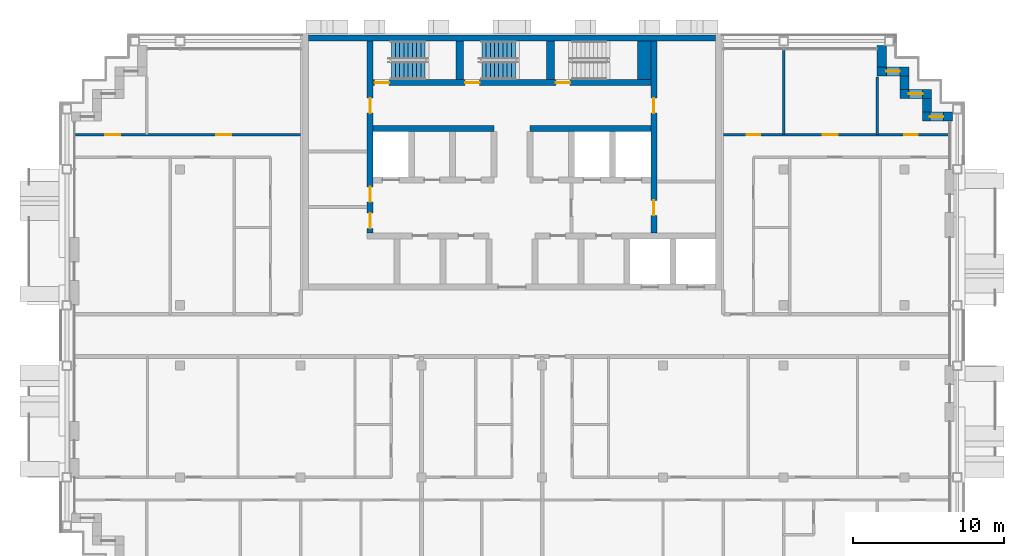
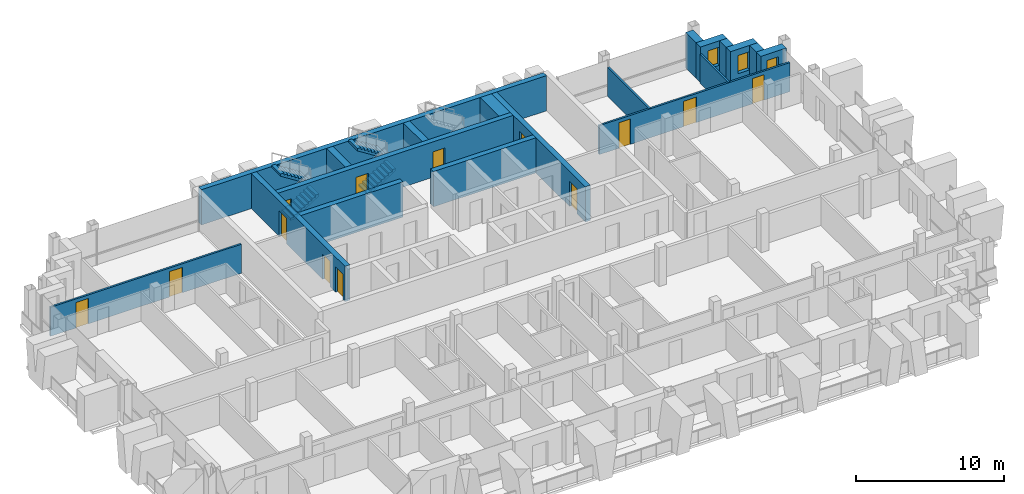
# One storey, part 11 of 16: 19 walls, 13 doors, 4 stair flights, 3 windows, 16 openings, 2 elements without a shape of their own.
"""IFC4 building model written with IfcOpenShell, lengths in metres."""

from ifc_helpers import new_model, si_unit, direction, frame, frame_2d, origin, place, context, subcontext, project, spatial, polyline, rectangle, outline, extrude, material, layer, layer_set, type_object, element, fill, aggregate, save


model = new_model("IFC4")

# Units and contexts
model_context = context("Model", 3, precision=1e-05, world=origin(), true_north=direction((0.0, 1.0)))
body_context = subcontext(model_context, "Body", "Model", "MODEL_VIEW")
ifc_project = project(units=[si_unit("LENGTHUNIT", "METRE"), si_unit("AREAUNIT", "SQUARE_METRE"), si_unit("VOLUMEUNIT", "CUBIC_METRE"), si_unit("PLANEANGLEUNIT", "RADIAN"), si_unit("MASSUNIT", "GRAM", prefix="KILO")], contexts=[model_context])

# Site, building, storey
site_placement = place(None, origin())
site = spatial("IfcSite", under=ifc_project, at=site_placement, CompositionType="ELEMENT")
building_placement = place(site_placement, origin())
building = spatial("IfcBuilding", under=site, at=building_placement, Name="Vidyagriha Tower", CompositionType="ELEMENT")
storey_placement = place(building_placement, frame((0.0, 0.0, 223.60009765625)))
storey = spatial("IfcBuildingStorey", under=building, at=storey_placement, Name="L58", CompositionType="ELEMENT", Elevation=223.60009765625)

# Wall, opening, window
ifc_material_1 = material(Name="Precast concrete C40/50 with brick facing", Category="concrete")
ifc_layer_1 = layer(ifc_material_1, 0.60009765625)
ifc_layer_set_1 = layer_set([ifc_layer_1], Name="Precast concrete C40/50 with brick facing")
wall_type_1 = type_object("IfcWallType", Name="Brick-faced precast wall 600", PredefinedType="STANDARD", material=ifc_layer_set_1)
wall_1_placement = place(storey_placement, frame((29.199951171875, 14.5, 0.0), z_axis=(0.0, 0.0, 1.0), x_axis=(-1.0, 0.0, 0.0)))
wall_1 = element("IfcWall", 1, at=wall_1_placement, inside=storey, type_object=wall_type_1, Name="Stepped corner wall L58 R01", PredefinedType="STANDARD", context=body_context, shape_type="SweptSolid", body=[
    extrude(rectangle(XDim=2.0, YDim=0.60009765625, at=frame_2d((1.0, 0.0))), origin(), (0.0, 0.0, 1.0), 2.919921875),
])
opening_1_placement = place(wall_1_placement, frame((0.610107421875, 0.0, 0.89990234375)))
opening_1 = element("IfcOpeningElement", 2, at=opening_1_placement, cuts=wall_1, Name="Opening WN1", PredefinedType="OPENING", context=body_context, shape_type="SweptSolid", body=[
    extrude(rectangle(XDim=0.89990234375, YDim=1.5, at=frame_2d((0.449951171875, 0.75))), frame((0.0, 0.31005859375, 0.0), z_axis=(0.0, -1.0, 0.0), x_axis=(1.0, 0.0, 0.0)), (0.0, 0.0, 1.0), 0.6201171875),
])
ifc_material_2 = material(Name="Aluminium and glass window", Category="aluminium")
window_type = type_object("IfcWindowType", Name="Reveal window 900x1500", PartitioningType="NOTDEFINED", PredefinedType="WINDOW", material=ifc_material_2)
window_1_placement = place(opening_1_placement, origin())
window_1 = element("IfcWindow", 3, at=window_1_placement, inside=storey, type_object=window_type, Name="Reveal window L58 R01", OverallHeight=1.5, OverallWidth=0.89990234375, PartitioningType="SINGLE_PANEL", PredefinedType="WINDOW", context=body_context, shape_type="SweptSolid", body=[
    extrude(rectangle(XDim=0.89990234375, YDim=1.5, at=frame_2d((0.449951171875, 0.75))), frame((0.0, 0.030029296875, 0.0), z_axis=(0.0, -1.0, 0.0), x_axis=(1.0, 0.0, 0.0)), (0.0, 0.0, 1.0), 0.06005859375),
])
fill(opening_1, window_1)

# Wall
wall_2_placement = place(storey_placement, frame((27.5, 14.800048828125, 0.0), z_axis=(0.0, 0.0, 1.0), x_axis=(0.0, 1.0, 0.0)))
element("IfcWall", 4, at=wall_2_placement, inside=storey, type_object=wall_type_1, Name="Stepped corner wall L58 R02", PredefinedType="STANDARD", context=body_context, shape_type="SweptSolid", body=[
    extrude(rectangle(XDim=0.89990234375, YDim=0.60009765625, at=frame_2d((0.449951171875, 0.0))), origin(), (0.0, 0.0, 1.0), 2.919921875),
])

# Wall, opening, window
wall_3_placement = place(storey_placement, frame((27.800048828125, 16.0, 0.0), z_axis=(0.0, 0.0, 1.0), x_axis=(-1.0, 0.0, 0.0)))
wall_3 = element("IfcWall", 5, at=wall_3_placement, inside=storey, type_object=wall_type_1, Name="Stepped corner wall L58 R03", PredefinedType="STANDARD", context=body_context, shape_type="SweptSolid", body=[
    extrude(rectangle(XDim=2.10009765625, YDim=0.60009765625, at=frame_2d((1.050048828125, 0.0))), origin(), (0.0, 0.0, 1.0), 2.919921875),
])
opening_2_placement = place(wall_3_placement, frame((0.60009765625, 0.0, 0.89990234375)))
opening_2 = element("IfcOpeningElement", 6, at=opening_2_placement, cuts=wall_3, Name="Opening WN1", PredefinedType="OPENING", context=body_context, shape_type="SweptSolid", body=[
    extrude(rectangle(XDim=0.89990234375, YDim=1.5, at=frame_2d((0.449951171875, 0.75))), frame((0.0, 0.31005859375, 0.0), z_axis=(0.0, -1.0, 0.0), x_axis=(1.0, 0.0, 0.0)), (0.0, 0.0, 1.0), 0.6201171875),
])
window_2_placement = place(opening_2_placement, origin())
window_2 = element("IfcWindow", 7, at=window_2_placement, inside=storey, type_object=window_type, Name="Reveal window L58 R03", OverallHeight=1.5, OverallWidth=0.89990234375, PartitioningType="SINGLE_PANEL", PredefinedType="WINDOW", context=body_context, shape_type="SweptSolid", body=[
    extrude(rectangle(XDim=0.89990234375, YDim=1.5, at=frame_2d((0.449951171875, 0.75))), frame((0.0, 0.030029296875, 0.0), z_axis=(0.0, -1.0, 0.0), x_axis=(1.0, 0.0, 0.0)), (0.0, 0.0, 1.0), 0.06005859375),
])
fill(opening_2, window_2)

# Wall
wall_4_placement = place(storey_placement, frame((26.0, 16.300048828125, 0.0), z_axis=(0.0, 0.0, 1.0), x_axis=(0.0, 1.0, 0.0)))
element("IfcWall", 8, at=wall_4_placement, inside=storey, type_object=wall_type_1, Name="Stepped corner wall L58 R04", PredefinedType="STANDARD", context=body_context, shape_type="SweptSolid", body=[
    extrude(rectangle(XDim=0.89990234375, YDim=0.60009765625, at=frame_2d((0.449951171875, 0.0))), origin(), (0.0, 0.0, 1.0), 2.919921875),
])

# Wall, opening, window
wall_5_placement = place(storey_placement, frame((26.300048828125, 17.5, 0.0), z_axis=(0.0, 0.0, 1.0), x_axis=(-1.0, 0.0, 0.0)))
wall_5 = element("IfcWall", 9, at=wall_5_placement, inside=storey, type_object=wall_type_1, Name="Stepped corner wall L58 R05", PredefinedType="STANDARD", context=body_context, shape_type="SweptSolid", body=[
    extrude(rectangle(XDim=2.10009765625, YDim=0.60009765625, at=frame_2d((1.050048828125, 0.0))), origin(), (0.0, 0.0, 1.0), 2.919921875),
])
opening_3_placement = place(wall_5_placement, frame((0.60009765625, 0.0, 0.89990234375)))
opening_3 = element("IfcOpeningElement", 10, at=opening_3_placement, cuts=wall_5, Name="Opening WN1", PredefinedType="OPENING", context=body_context, shape_type="SweptSolid", body=[
    extrude(rectangle(XDim=0.89990234375, YDim=1.5, at=frame_2d((0.449951171875, 0.75))), frame((0.0, 0.31005859375, 0.0), z_axis=(0.0, -1.0, 0.0), x_axis=(1.0, 0.0, 0.0)), (0.0, 0.0, 1.0), 0.6201171875),
])
window_3_placement = place(opening_3_placement, origin())
window_3 = element("IfcWindow", 11, at=window_3_placement, inside=storey, type_object=window_type, Name="Reveal window L58 R05", OverallHeight=1.5, OverallWidth=0.89990234375, PartitioningType="SINGLE_PANEL", PredefinedType="WINDOW", context=body_context, shape_type="SweptSolid", body=[
    extrude(rectangle(XDim=0.89990234375, YDim=1.5, at=frame_2d((0.449951171875, 0.75))), frame((0.0, 0.030029296875, 0.0), z_axis=(0.0, -1.0, 0.0), x_axis=(1.0, 0.0, 0.0)), (0.0, 0.0, 1.0), 0.06005859375),
])
fill(opening_3, window_3)

# Walls
wall_6_placement = place(storey_placement, frame((24.5, 17.800048828125, 0.0), z_axis=(0.0, 0.0, 1.0), x_axis=(0.0, 1.0, 0.0)))
element("IfcWall", 12, at=wall_6_placement, inside=storey, type_object=wall_type_1, Name="Stepped corner wall L58 R06", PredefinedType="STANDARD", context=body_context, shape_type="SweptSolid", body=[
    extrude(rectangle(XDim=1.39990234375, YDim=0.60009765625, at=frame_2d((0.699951171875, 0.0))), origin(), (0.0, 0.0, 1.0), 2.919921875),
])
ifc_material_3 = material(Name="Concrete C60/75", Category="concrete")
ifc_layer_2 = layer(ifc_material_3, 0.39990234375)
ifc_layer_set_2 = layer_set([ifc_layer_2], Name="Concrete C60/75")
wall_type_2 = type_object("IfcWallType", Name="Core shear wall 400 mm", PredefinedType="SHEAR", material=ifc_layer_set_2)
wall_7_placement = place(storey_placement, frame((-13.5, 19.699951171875, 0.0)))
element("IfcWall", 13, at=wall_7_placement, inside=storey, type_object=wall_type_2, Name="Core north wall", PredefinedType="SHEAR", context=body_context, shape_type="SweptSolid", body=[
    extrude(rectangle(XDim=27.0, YDim=0.39990234375, at=frame_2d((13.5, 0.0))), origin(), (0.0, 0.0, 1.0), 2.919921875),
])

# Wall, openings, doors
wall_8_placement = place(storey_placement, frame((-9.39990234375, 6.800048828125, 0.0), z_axis=(0.0, 0.0, 1.0), x_axis=(0.0, 1.0, 0.0)))
wall_8 = element("IfcWall", 14, at=wall_8_placement, inside=storey, type_object=wall_type_2, Name="Core west spine wall", PredefinedType="SHEAR", context=body_context, shape_type="SweptSolid", body=[
    extrude(rectangle(XDim=12.699951171875, YDim=0.39990234375, at=frame_2d((6.35009765625, 0.0))), origin(), (0.0, 0.0, 1.0), 2.919921875),
])
opening_4_placement = place(wall_8_placement, frame((0.300048828125, 0.0, 0.0)))
opening_4 = element("IfcOpeningElement", 15, at=opening_4_placement, cuts=wall_8, Name="Opening D58-13", PredefinedType="OPENING", context=body_context, shape_type="SweptSolid", body=[
    extrude(rectangle(XDim=1.0, YDim=2.10009765625, at=frame_2d((0.5, 1.050048828125))), frame((0.0, 0.2099609375, 0.0), z_axis=(0.0, -1.0, 0.0), x_axis=(1.0, 0.0, 0.0)), (0.0, 0.0, 1.0), 0.419921875),
])
opening_5_placement = place(wall_8_placement, frame((2.050048828125, 0.0, 0.0)))
opening_5 = element("IfcOpeningElement", 16, at=opening_5_placement, cuts=wall_8, Name="Opening D58-14", PredefinedType="OPENING", context=body_context, shape_type="SweptSolid", body=[
    extrude(rectangle(XDim=1.0, YDim=2.10009765625, at=frame_2d((0.5, 1.050048828125))), frame((0.0, 0.2099609375, 0.0), z_axis=(0.0, -1.0, 0.0), x_axis=(1.0, 0.0, 0.0)), (0.0, 0.0, 1.0), 0.419921875),
])
opening_6_placement = place(wall_8_placement, frame((7.925048828125, 0.0, 0.0)))
opening_6 = element("IfcOpeningElement", 17, at=opening_6_placement, cuts=wall_8, Name="Opening D58-15", PredefinedType="OPENING", context=body_context, shape_type="SweptSolid", body=[
    extrude(rectangle(XDim=1.0, YDim=2.10009765625, at=frame_2d((0.5, 1.050048828125))), frame((0.0, 0.2099609375, 0.0), z_axis=(0.0, -1.0, 0.0), x_axis=(1.0, 0.0, 0.0)), (0.0, 0.0, 1.0), 0.419921875),
])
ifc_material_4 = material(Name="Hollow metal door leaf")
door_type_1 = type_object("IfcDoorType", Name="Core room door 1000 x 2100 mm EI 60", OperationType="NOTDEFINED", PredefinedType="DOOR", material=ifc_material_4)
door_1_placement = place(opening_4_placement, frame((1.0, 0.0, 0.0), z_axis=(0.0, 0.0, 1.0), x_axis=(-1.0, 0.0, 0.0)))
door_1 = element("IfcDoor", 18, at=door_1_placement, inside=storey, type_object=door_type_1, Name="Door Mechanical Riser Room 58.W1", OperationType="SINGLE_SWING_RIGHT", OverallHeight=2.10009765625, OverallWidth=1.0, PredefinedType="DOOR", context=body_context, shape_type="SweptSolid", body=[
    extrude(rectangle(XDim=1.0, YDim=2.10009765625, at=frame_2d((0.5, 1.050048828125))), frame((0.0, 0.02490234375, 0.0), z_axis=(0.0, -1.0, 0.0), x_axis=(1.0, 0.0, 0.0)), (0.0, 0.0, 1.0), 0.050048828125),
])
fill(opening_4, door_1)
door_2_placement = place(opening_5_placement, frame((1.0, 0.0, 0.0), z_axis=(0.0, 0.0, 1.0), x_axis=(-1.0, 0.0, 0.0)))
door_2 = element("IfcDoor", 19, at=door_2_placement, inside=storey, type_object=door_type_1, Name="Door Electrical Room 58.W2", OperationType="SINGLE_SWING_LEFT", OverallHeight=2.10009765625, OverallWidth=1.0, PredefinedType="DOOR", context=body_context, shape_type="SweptSolid", body=[
    extrude(rectangle(XDim=1.0, YDim=2.10009765625, at=frame_2d((0.5, 1.050048828125))), frame((0.0, 0.02490234375, 0.0), z_axis=(0.0, -1.0, 0.0), x_axis=(1.0, 0.0, 0.0)), (0.0, 0.0, 1.0), 0.050048828125),
])
fill(opening_5, door_2)
door_3_placement = place(opening_6_placement, frame((1.0, 0.0, 0.0), z_axis=(0.0, 0.0, 1.0), x_axis=(-1.0, 0.0, 0.0)))
door_3 = element("IfcDoor", 20, at=door_3_placement, inside=storey, type_object=door_type_1, Name="Door Refuse Room 58.W3", OperationType="SINGLE_SWING_LEFT", OverallHeight=2.10009765625, OverallWidth=1.0, PredefinedType="DOOR", context=body_context, shape_type="SweptSolid", body=[
    extrude(rectangle(XDim=1.0, YDim=2.10009765625, at=frame_2d((0.5, 1.050048828125))), frame((0.0, 0.02490234375, 0.0), z_axis=(0.0, -1.0, 0.0), x_axis=(1.0, 0.0, 0.0)), (0.0, 0.0, 1.0), 0.050048828125),
])
fill(opening_6, door_3)

wall_9_placement = place(storey_placement, frame((9.39990234375, 6.800048828125, 0.0), z_axis=(0.0, 0.0, 1.0), x_axis=(0.0, 1.0, 0.0)))
wall_9 = element("IfcWall", 21, at=wall_9_placement, inside=storey, type_object=wall_type_2, Name="Core east spine wall", PredefinedType="SHEAR", context=body_context, shape_type="SweptSolid", body=[
    extrude(rectangle(XDim=12.699951171875, YDim=0.39990234375, at=frame_2d((6.35009765625, 0.0))), origin(), (0.0, 0.0, 1.0), 2.919921875),
])
opening_7_placement = place(wall_9_placement, frame((1.14990234375, 0.0, 0.0)))
opening_7 = element("IfcOpeningElement", 22, at=opening_7_placement, cuts=wall_9, Name="Opening D58-16", PredefinedType="OPENING", context=body_context, shape_type="SweptSolid", body=[
    extrude(rectangle(XDim=1.0, YDim=2.10009765625, at=frame_2d((0.5, 1.050048828125))), frame((0.0, 0.2099609375, 0.0), z_axis=(0.0, -1.0, 0.0), x_axis=(1.0, 0.0, 0.0)), (0.0, 0.0, 1.0), 0.419921875),
])
opening_8_placement = place(wall_9_placement, frame((7.925048828125, 0.0, 0.0)))
opening_8 = element("IfcOpeningElement", 23, at=opening_8_placement, cuts=wall_9, Name="Opening D58-17", PredefinedType="OPENING", context=body_context, shape_type="SweptSolid", body=[
    extrude(rectangle(XDim=1.0, YDim=2.10009765625, at=frame_2d((0.5, 1.050048828125))), frame((0.0, 0.2099609375, 0.0), z_axis=(0.0, -1.0, 0.0), x_axis=(1.0, 0.0, 0.0)), (0.0, 0.0, 1.0), 0.419921875),
])
door_4_placement = place(opening_7_placement, origin())
door_4 = element("IfcDoor", 24, at=door_4_placement, inside=storey, type_object=door_type_1, Name="Door Storage Room 58.E1", OperationType="SINGLE_SWING_RIGHT", OverallHeight=2.10009765625, OverallWidth=1.0, PredefinedType="DOOR", context=body_context, shape_type="SweptSolid", body=[
    extrude(rectangle(XDim=1.0, YDim=2.10009765625, at=frame_2d((0.5, 1.050048828125))), frame((0.0, 0.02490234375, 0.0), z_axis=(0.0, -1.0, 0.0), x_axis=(1.0, 0.0, 0.0)), (0.0, 0.0, 1.0), 0.050048828125),
])
fill(opening_7, door_4)
door_5_placement = place(opening_8_placement, origin())
door_5 = element("IfcDoor", 25, at=door_5_placement, inside=storey, type_object=door_type_1, Name="Door Cleaners Store 58.E2", OperationType="SINGLE_SWING_LEFT", OverallHeight=2.10009765625, OverallWidth=1.0, PredefinedType="DOOR", context=body_context, shape_type="SweptSolid", body=[
    extrude(rectangle(XDim=1.0, YDim=2.10009765625, at=frame_2d((0.5, 1.050048828125))), frame((0.0, 0.02490234375, 0.0), z_axis=(0.0, -1.0, 0.0), x_axis=(1.0, 0.0, 0.0)), (0.0, 0.0, 1.0), 0.050048828125),
])
fill(opening_8, door_5)

# Walls
for number, where, name in (
    (26, (-9.199951171875, 13.699951171875, 0.0), "Core row N rear wall"),
    (27, (1.199951171875, 13.699951171875, 0.0), "Core row N rear wall"),
):
    element("IfcWall", number, at=place(storey_placement, frame(where)), inside=storey, type_object=wall_type_2, Name=name, PredefinedType="SHEAR", context=body_context, shape_type="SweptSolid", body=[
        extrude(rectangle(XDim=8.0, YDim=0.39990234375, at=frame_2d((4.0, 0.0))), origin(), (0.0, 0.0, 1.0), 2.919921875),
    ])

# Wall, openings, doors
wall_10_placement = place(storey_placement, frame((-9.199951171875, 16.75, 0.0)))
wall_10 = element("IfcWall", 28, at=wall_10_placement, inside=storey, type_object=wall_type_2, Name="Stair front wall", PredefinedType="SHEAR", context=body_context, shape_type="SweptSolid", body=[
    extrude(rectangle(XDim=18.39990234375, YDim=0.39990234375, at=frame_2d((9.199951171875, 0.0))), origin(), (0.0, 0.0, 1.0), 2.919921875),
])
opening_9_placement = place(wall_10_placement, frame((0.10009765625, 0.0, 0.0)))
opening_9 = element("IfcOpeningElement", 29, at=opening_9_placement, cuts=wall_10, Name="Opening D58-10", PredefinedType="OPENING", context=body_context, shape_type="SweptSolid", body=[
    extrude(rectangle(XDim=0.949951171875, YDim=2.10009765625, at=frame_2d((0.47509765625, 1.050048828125))), frame((0.0, 0.2099609375, 0.0), z_axis=(0.0, -1.0, 0.0), x_axis=(1.0, 0.0, 0.0)), (0.0, 0.0, 1.0), 0.419921875),
])
opening_10_placement = place(wall_10_placement, frame((6.10009765625, 0.0, 0.0)))
opening_10 = element("IfcOpeningElement", 30, at=opening_10_placement, cuts=wall_10, Name="Opening D58-11", PredefinedType="OPENING", context=body_context, shape_type="SweptSolid", body=[
    extrude(rectangle(XDim=0.949951171875, YDim=2.10009765625, at=frame_2d((0.47509765625, 1.050048828125))), frame((0.0, 0.2099609375, 0.0), z_axis=(0.0, -1.0, 0.0), x_axis=(1.0, 0.0, 0.0)), (0.0, 0.0, 1.0), 0.419921875),
])
opening_11_placement = place(wall_10_placement, frame((12.10009765625, 0.0, 0.0)))
opening_11 = element("IfcOpeningElement", 31, at=opening_11_placement, cuts=wall_10, Name="Opening D58-12", PredefinedType="OPENING", context=body_context, shape_type="SweptSolid", body=[
    extrude(rectangle(XDim=0.949951171875, YDim=2.10009765625, at=frame_2d((0.47509765625, 1.050048828125))), frame((0.0, 0.2099609375, 0.0), z_axis=(0.0, -1.0, 0.0), x_axis=(1.0, 0.0, 0.0)), (0.0, 0.0, 1.0), 0.419921875),
])
ifc_material_5 = material(Name="Hollow metal door leaf")
door_type_2 = type_object("IfcDoorType", Name="Exit stair door 950 x 2100 mm EI 90", OperationType="NOTDEFINED", PredefinedType="DOOR", material=ifc_material_5)
door_6_placement = place(opening_9_placement, origin())
door_6 = element("IfcDoor", 32, at=door_6_placement, inside=storey, type_object=door_type_2, Name="Stair door ST1 L58", OperationType="SINGLE_SWING_LEFT", OverallHeight=2.10009765625, OverallWidth=0.949951171875, PredefinedType="DOOR", context=body_context, shape_type="SweptSolid", body=[
    extrude(rectangle(XDim=0.949951171875, YDim=2.10009765625, at=frame_2d((0.47509765625, 1.050048828125))), frame((0.0, 0.02490234375, 0.0), z_axis=(0.0, -1.0, 0.0), x_axis=(1.0, 0.0, 0.0)), (0.0, 0.0, 1.0), 0.050048828125),
])
fill(opening_9, door_6)
door_7_placement = place(opening_10_placement, origin())
door_7 = element("IfcDoor", 33, at=door_7_placement, inside=storey, type_object=door_type_2, Name="Stair door ST2 L58", OperationType="SINGLE_SWING_LEFT", OverallHeight=2.10009765625, OverallWidth=0.949951171875, PredefinedType="DOOR", context=body_context, shape_type="SweptSolid", body=[
    extrude(rectangle(XDim=0.949951171875, YDim=2.10009765625, at=frame_2d((0.47509765625, 1.050048828125))), frame((0.0, 0.02490234375, 0.0), z_axis=(0.0, -1.0, 0.0), x_axis=(1.0, 0.0, 0.0)), (0.0, 0.0, 1.0), 0.050048828125),
])
fill(opening_10, door_7)
door_8_placement = place(opening_11_placement, origin())
door_8 = element("IfcDoor", 34, at=door_8_placement, inside=storey, type_object=door_type_2, Name="Stair door ST3 L58", OperationType="SINGLE_SWING_LEFT", OverallHeight=2.10009765625, OverallWidth=0.949951171875, PredefinedType="DOOR", context=body_context, shape_type="SweptSolid", body=[
    extrude(rectangle(XDim=0.949951171875, YDim=2.10009765625, at=frame_2d((0.47509765625, 1.050048828125))), frame((0.0, 0.02490234375, 0.0), z_axis=(0.0, -1.0, 0.0), x_axis=(1.0, 0.0, 0.0)), (0.0, 0.0, 1.0), 0.050048828125),
])
fill(opening_11, door_8)

# Walls
ifc_material_6 = material(Name="Concrete C60/75", Category="concrete")
ifc_layer_3 = layer(ifc_material_6, 0.5)
ifc_layer_set_3 = layer_set([ifc_layer_3], Name="Concrete C60/75")
wall_type_3 = type_object("IfcWallType", Name="Core shear wall 500 mm", PredefinedType="SHEAR", material=ifc_layer_set_3)
for number, where, z_axis, x_axis, name in (
    (35, (-3.449951171875, 16.949951171875, 0.0), (0.0, 0.0, 1.0), (0.0, 1.0, 0.0), "Stair partition wall 1"),
    (36, (2.550048828125, 16.949951171875, 0.0), (0.0, 0.0, 1.0), (0.0, 1.0, 0.0), "Stair partition wall 2"),
):
    element("IfcWall", number, at=place(storey_placement, frame(where, z_axis=z_axis, x_axis=x_axis)), inside=storey, type_object=wall_type_3, Name=name, PredefinedType="SHEAR", context=body_context, shape_type="SweptSolid", body=[
        extrude(rectangle(XDim=2.550048828125, YDim=0.5, at=frame_2d((1.27490234375, 0.0))), origin(), (0.0, 0.0, 1.0), 2.919921875),
    ])
ifc_material_7 = material(Name="Concrete C60/75", Category="concrete")
ifc_layer_4 = layer(ifc_material_7, 0.89990234375)
ifc_layer_set_4 = layer_set([ifc_layer_4], Name="Concrete C60/75")
wall_type_4 = type_object("IfcWallType", Name="Core shear wall 900 mm", PredefinedType="SHEAR", material=ifc_layer_set_4)
wall_11_placement = place(storey_placement, frame((8.75, 16.949951171875, 0.0), z_axis=(0.0, 0.0, 1.0), x_axis=(0.0, 1.0, 0.0)))
element("IfcWall", 37, at=wall_11_placement, inside=storey, type_object=wall_type_4, Name="Stair end wall", PredefinedType="SHEAR", context=body_context, shape_type="SweptSolid", body=[
    extrude(rectangle(XDim=2.550048828125, YDim=0.89990234375, at=frame_2d((1.27490234375, 0.0))), origin(), (0.0, 0.0, 1.0), 2.919921875),
])

# Wall, openings, doors
ifc_material_8 = material(Name="Gypsum board partition")
ifc_layer_5 = layer(ifc_material_8, 0.14990234375)
ifc_layer_set_5 = layer_set([ifc_layer_5], Name="Gypsum board partition")
wall_type_5 = type_object("IfcWallType", Name="Gypsum board partition 150", PredefinedType="PARTITIONING", material=ifc_layer_set_5)
wall_12_placement = place(storey_placement, frame((-28.919921875, 13.300048828125, 0.0)))
wall_12 = element("IfcWall", 38, at=wall_12_placement, inside=storey, type_object=wall_type_5, Name="Wall all-L58-w073", PredefinedType="PARTITIONING", context=body_context, shape_type="SweptSolid", body=[
    extrude(rectangle(XDim=14.919921875, YDim=0.14990234375, at=frame_2d((7.4599609375, 0.0))), origin(), (0.0, 0.0, 1.0), 2.39990234375),
])
opening_12_placement = place(wall_12_placement, frame((1.969970703125, 0.0, 0.0)))
opening_12 = element("IfcOpeningElement", 39, at=opening_12_placement, cuts=wall_12, Name="Opening D58-51", PredefinedType="OPENING", context=body_context, shape_type="SweptSolid", body=[
    extrude(rectangle(XDim=1.0, YDim=2.10009765625, at=frame_2d((0.5, 1.050048828125))), frame((0.0, 0.0849609375, 0.0), z_axis=(0.0, -1.0, 0.0), x_axis=(1.0, 0.0, 0.0)), (0.0, 0.0, 1.0), 0.169921875),
])
opening_13_placement = place(wall_12_placement, frame((9.320068359375, 0.0, 0.0)))
opening_13 = element("IfcOpeningElement", 40, at=opening_13_placement, cuts=wall_12, Name="Opening D58-52", PredefinedType="OPENING", context=body_context, shape_type="SweptSolid", body=[
    extrude(rectangle(XDim=1.0, YDim=2.10009765625, at=frame_2d((0.5, 1.050048828125))), frame((0.0, 0.0849609375, 0.0), z_axis=(0.0, -1.0, 0.0), x_axis=(1.0, 0.0, 0.0)), (0.0, 0.0, 1.0), 0.169921875),
])
ifc_material_9 = material(Name="Timber door leaf", Category="wood")
door_type_3 = type_object("IfcDoorType", Name="Room door 1000x2100", OperationType="NOTDEFINED", PredefinedType="DOOR", material=ifc_material_9)
door_9_placement = place(opening_12_placement, origin())
door_9 = element("IfcDoor", 41, at=door_9_placement, inside=storey, type_object=door_type_3, Name="Door D58-51", OperationType="SINGLE_SWING_RIGHT", OverallHeight=2.10009765625, OverallWidth=1.0, PredefinedType="DOOR", context=body_context, shape_type="SweptSolid", body=[
    extrude(rectangle(XDim=1.0, YDim=2.10009765625, at=frame_2d((0.5, 1.050048828125))), frame((0.0, 0.02490234375, 0.0), z_axis=(0.0, -1.0, 0.0), x_axis=(1.0, 0.0, 0.0)), (0.0, 0.0, 1.0), 0.050048828125),
])
fill(opening_12, door_9)
door_10_placement = place(opening_13_placement, origin())
door_10 = element("IfcDoor", 42, at=door_10_placement, inside=storey, type_object=door_type_3, Name="Door D58-52", OperationType="SINGLE_SWING_LEFT", OverallHeight=2.10009765625, OverallWidth=1.0, PredefinedType="DOOR", context=body_context, shape_type="SweptSolid", body=[
    extrude(rectangle(XDim=1.0, YDim=2.10009765625, at=frame_2d((0.5, 1.050048828125))), frame((0.0, 0.02490234375, 0.0), z_axis=(0.0, -1.0, 0.0), x_axis=(1.0, 0.0, 0.0)), (0.0, 0.0, 1.0), 0.050048828125),
])
fill(opening_13, door_10)

wall_13_placement = place(storey_placement, frame((14.0, 13.300048828125, 0.0)))
wall_13 = element("IfcWall", 43, at=wall_13_placement, inside=storey, type_object=wall_type_5, Name="Wall all-L58-w088", PredefinedType="PARTITIONING", context=body_context, shape_type="SweptSolid", body=[
    extrude(rectangle(XDim=14.919921875, YDim=0.14990234375, at=frame_2d((7.4599609375, 0.0))), origin(), (0.0, 0.0, 1.0), 2.39990234375),
])
opening_14_placement = place(wall_13_placement, frame((1.550048828125, 0.0, 0.0)))
opening_14 = element("IfcOpeningElement", 44, at=opening_14_placement, cuts=wall_13, Name="Opening D58-58", PredefinedType="OPENING", context=body_context, shape_type="SweptSolid", body=[
    extrude(rectangle(XDim=0.89990234375, YDim=2.10009765625, at=frame_2d((0.449951171875, 1.050048828125))), frame((0.0, 0.0849609375, 0.0), z_axis=(0.0, -1.0, 0.0), x_axis=(1.0, 0.0, 0.0)), (0.0, 0.0, 1.0), 0.169921875),
])
opening_15_placement = place(wall_13_placement, frame((6.60009765625, 0.0, 0.0)))
opening_15 = element("IfcOpeningElement", 45, at=opening_15_placement, cuts=wall_13, Name="Opening D58-59", PredefinedType="OPENING", context=body_context, shape_type="SweptSolid", body=[
    extrude(rectangle(XDim=1.0, YDim=2.10009765625, at=frame_2d((0.5, 1.050048828125))), frame((0.0, 0.0849609375, 0.0), z_axis=(0.0, -1.0, 0.0), x_axis=(1.0, 0.0, 0.0)), (0.0, 0.0, 1.0), 0.169921875),
])
opening_16_placement = place(wall_13_placement, frame((12.0, 0.0, 0.0)))
opening_16 = element("IfcOpeningElement", 46, at=opening_16_placement, cuts=wall_13, Name="Opening D58-60", PredefinedType="OPENING", context=body_context, shape_type="SweptSolid", body=[
    extrude(rectangle(XDim=0.89990234375, YDim=2.10009765625, at=frame_2d((0.449951171875, 1.050048828125))), frame((0.0, 0.0849609375, 0.0), z_axis=(0.0, -1.0, 0.0), x_axis=(1.0, 0.0, 0.0)), (0.0, 0.0, 1.0), 0.169921875),
])
door_11_placement = place(opening_15_placement, origin())
door_11 = element("IfcDoor", 47, at=door_11_placement, inside=storey, type_object=door_type_3, Name="Door D58-59", OperationType="SINGLE_SWING_RIGHT", OverallHeight=2.10009765625, OverallWidth=1.0, PredefinedType="DOOR", context=body_context, shape_type="SweptSolid", body=[
    extrude(rectangle(XDim=1.0, YDim=2.10009765625, at=frame_2d((0.5, 1.050048828125))), frame((0.0, 0.02490234375, 0.0), z_axis=(0.0, -1.0, 0.0), x_axis=(1.0, 0.0, 0.0)), (0.0, 0.0, 1.0), 0.050048828125),
])
fill(opening_15, door_11)
ifc_material_10 = material(Name="Timber door leaf", Category="wood")
door_type_4 = type_object("IfcDoorType", Name="Room door 900x2100", OperationType="NOTDEFINED", PredefinedType="DOOR", material=ifc_material_10)
door_12_placement = place(opening_14_placement, origin())
door_12 = element("IfcDoor", 48, at=door_12_placement, inside=storey, type_object=door_type_4, Name="Door D58-58", OperationType="SINGLE_SWING_RIGHT", OverallHeight=2.10009765625, OverallWidth=0.89990234375, PredefinedType="DOOR", context=body_context, shape_type="SweptSolid", body=[
    extrude(rectangle(XDim=0.89990234375, YDim=2.10009765625, at=frame_2d((0.449951171875, 1.050048828125))), frame((0.0, 0.02490234375, 0.0), z_axis=(0.0, -1.0, 0.0), x_axis=(1.0, 0.0, 0.0)), (0.0, 0.0, 1.0), 0.050048828125),
])
fill(opening_14, door_12)
door_13_placement = place(opening_16_placement, origin())
door_13 = element("IfcDoor", 49, at=door_13_placement, inside=storey, type_object=door_type_4, Name="Door D58-60", OperationType="SINGLE_SWING_RIGHT", OverallHeight=2.10009765625, OverallWidth=0.89990234375, PredefinedType="DOOR", context=body_context, shape_type="SweptSolid", body=[
    extrude(rectangle(XDim=0.89990234375, YDim=2.10009765625, at=frame_2d((0.449951171875, 1.050048828125))), frame((0.0, 0.02490234375, 0.0), z_axis=(0.0, -1.0, 0.0), x_axis=(1.0, 0.0, 0.0)), (0.0, 0.0, 1.0), 0.050048828125),
])
fill(opening_16, door_13)

# Walls
wall_14_placement = place(storey_placement, frame((18.0, 18.9208984375, 0.0), z_axis=(0.0, 0.0, 1.0), x_axis=(0.0, -1.0, 0.0)))
element("IfcWall", 50, at=wall_14_placement, inside=storey, type_object=wall_type_5, Name="Wall all-L58-w092", PredefinedType="PARTITIONING", context=body_context, shape_type="SweptSolid", body=[
    extrude(rectangle(XDim=5.620849609375, YDim=0.14990234375, at=frame_2d((2.810546875, 0.0))), origin(), (0.0, 0.0, 1.0), 2.39990234375),
])
wall_15_placement = place(storey_placement, frame((24.199951171875, 17.1201171875, 0.0), z_axis=(0.0, 0.0, 1.0), x_axis=(0.0, -1.0, 0.0)))
element("IfcWall", 51, at=wall_15_placement, inside=storey, type_object=wall_type_5, Name="Wall all-L58-w093", PredefinedType="PARTITIONING", context=body_context, shape_type="SweptSolid", body=[
    extrude(rectangle(XDim=3.820068359375, YDim=0.14990234375, at=frame_2d((1.91015625, 0.0))), origin(), (0.0, 0.0, 1.0), 2.39990234375),
])

# Stair, stair flights
ifc_material_11 = material(Name="Concrete C40/50", Category="concrete")
stair_type = type_object("IfcStairType", Name="Exit stair, half-turn, precast flights", PredefinedType="HALF_TURN_STAIR", material=ifc_material_11)
stair_1_placement = place(storey_placement, origin())
stair_1 = element("IfcStair", 52, at=stair_1_placement, inside=storey, type_object=stair_type, Name="L58 Exit Stair ST1", PredefinedType="HALF_TURN_STAIR")
ifc_material_12 = material(Name="Precast concrete C40/50", Category="concrete")
stair_flight_type = type_object("IfcStairFlightType", Name="Exit stair flight 1200 mm, precast", PredefinedType="STRAIGHT", material=ifc_material_12)
stair_flight_1_placement = place(storey_placement, frame((-8.0, 17.550048828125, 0.0)))
stair_flight_1 = element("IfcStairFlight", 53, at=stair_flight_1_placement, type_object=stair_flight_type, Name="ST1 flight 1", NumberOfRisers=9, NumberOfTreads=8, PredefinedType="STRAIGHT", RiserHeight=0.177777778, TreadLength=0.28, context=body_context, shape_type="SweptSolid", body=[
    extrude(outline(polyline([(0.0, 0.0), (0.0, 0.177734375), (0.280029296875, 0.177734375), (0.280029296875, 0.35546875), (0.56005859375, 0.35546875), (0.56005859375, 0.533447265625), (0.840087890625, 0.533447265625), (0.840087890625, 0.711181640625), (1.1201171875, 0.711181640625), (1.1201171875, 0.888916015625), (1.39990234375, 0.888916015625), (1.39990234375, 1.066650390625), (1.679931640625, 1.066650390625), (1.679931640625, 1.244384765625), (1.9599609375, 1.244384765625), (1.9599609375, 1.422119140625), (2.239990234375, 1.422119140625), (2.239990234375, 1.60009765625), (2.239990234375, 1.24462890625), (0.27978515625, 0.0), (0.0, 0.0)])), frame((0.0, 0.60009765625, 0.0), z_axis=(0.0, -1.0, 0.0), x_axis=(1.0, 0.0, 0.0)), (0.0, 0.0, 1.0), 1.199951171875),
])
stair_flight_2_placement = place(storey_placement, frame((-5.760009765625, 18.89990234375, 1.599853515625), z_axis=(0.0, 0.0, 1.0), x_axis=(-1.0, 0.0, 0.0)))
stair_flight_2 = element("IfcStairFlight", 54, at=stair_flight_2_placement, type_object=stair_flight_type, Name="ST1 flight 2", NumberOfRisers=9, NumberOfTreads=8, PredefinedType="STRAIGHT", RiserHeight=0.177777778, TreadLength=0.28, context=body_context, shape_type="SweptSolid", body=[
    extrude(outline(polyline([(0.0, 0.0), (0.0, 0.177734375), (0.280029296875, 0.177734375), (0.280029296875, 0.35546875), (0.56005859375, 0.35546875), (0.56005859375, 0.533447265625), (0.840087890625, 0.533447265625), (0.840087890625, 0.711181640625), (1.1201171875, 0.711181640625), (1.1201171875, 0.888916015625), (1.39990234375, 0.888916015625), (1.39990234375, 1.066650390625), (1.679931640625, 1.066650390625), (1.679931640625, 1.244384765625), (1.9599609375, 1.244384765625), (1.9599609375, 1.422119140625), (2.239990234375, 1.422119140625), (2.239990234375, 1.60009765625), (2.239990234375, 1.24462890625), (0.27978515625, 0.0), (0.0, 0.0)])), frame((0.0, 0.60009765625, 0.0), z_axis=(0.0, -1.0, 0.0), x_axis=(1.0, 0.0, 0.0)), (0.0, 0.0, 1.0), 1.199951171875),
])
aggregate(stair_1, [stair_flight_1, stair_flight_2])

stair_2_placement = place(storey_placement, origin())
stair_2 = element("IfcStair", 55, at=stair_2_placement, inside=storey, type_object=stair_type, Name="L58 Exit Stair ST2", PredefinedType="HALF_TURN_STAIR")
stair_flight_3_placement = place(storey_placement, frame((-2.0, 17.550048828125, 0.0)))
stair_flight_3 = element("IfcStairFlight", 56, at=stair_flight_3_placement, type_object=stair_flight_type, Name="ST2 flight 1", NumberOfRisers=9, NumberOfTreads=8, PredefinedType="STRAIGHT", RiserHeight=0.177777778, TreadLength=0.28, context=body_context, shape_type="SweptSolid", body=[
    extrude(outline(polyline([(0.0, 0.0), (0.0, 0.177734375), (0.280029296875, 0.177734375), (0.280029296875, 0.35546875), (0.56005859375, 0.35546875), (0.56005859375, 0.533447265625), (0.840087890625, 0.533447265625), (0.840087890625, 0.711181640625), (1.1201171875, 0.711181640625), (1.1201171875, 0.888916015625), (1.39990234375, 0.888916015625), (1.39990234375, 1.066650390625), (1.679931640625, 1.066650390625), (1.679931640625, 1.244384765625), (1.9599609375, 1.244384765625), (1.9599609375, 1.422119140625), (2.239990234375, 1.422119140625), (2.239990234375, 1.60009765625), (2.239990234375, 1.24462890625), (0.27978515625, 0.0), (0.0, 0.0)])), frame((0.0, 0.60009765625, 0.0), z_axis=(0.0, -1.0, 0.0), x_axis=(1.0, 0.0, 0.0)), (0.0, 0.0, 1.0), 1.199951171875),
])
stair_flight_4_placement = place(storey_placement, frame((0.239990234375, 18.89990234375, 1.599853515625), z_axis=(0.0, 0.0, 1.0), x_axis=(-1.0, 0.0, 0.0)))
stair_flight_4 = element("IfcStairFlight", 57, at=stair_flight_4_placement, type_object=stair_flight_type, Name="ST2 flight 2", NumberOfRisers=9, NumberOfTreads=8, PredefinedType="STRAIGHT", RiserHeight=0.177777778, TreadLength=0.28, context=body_context, shape_type="SweptSolid", body=[
    extrude(outline(polyline([(0.0, 0.0), (0.0, 0.177734375), (0.280029296875, 0.177734375), (0.280029296875, 0.35546875), (0.56005859375, 0.35546875), (0.56005859375, 0.533447265625), (0.840087890625, 0.533447265625), (0.840087890625, 0.711181640625), (1.1201171875, 0.711181640625), (1.1201171875, 0.888916015625), (1.39990234375, 0.888916015625), (1.39990234375, 1.066650390625), (1.679931640625, 1.066650390625), (1.679931640625, 1.244384765625), (1.9599609375, 1.244384765625), (1.9599609375, 1.422119140625), (2.239990234375, 1.422119140625), (2.239990234375, 1.60009765625), (2.239990234375, 1.24462890625), (0.27978515625, 0.0), (0.0, 0.0)])), frame((0.0, 0.60009765625, 0.0), z_axis=(0.0, -1.0, 0.0), x_axis=(1.0, 0.0, 0.0)), (0.0, 0.0, 1.0), 1.199951171875),
])
aggregate(stair_2, [stair_flight_3, stair_flight_4])

save(model, "model.ifc")
